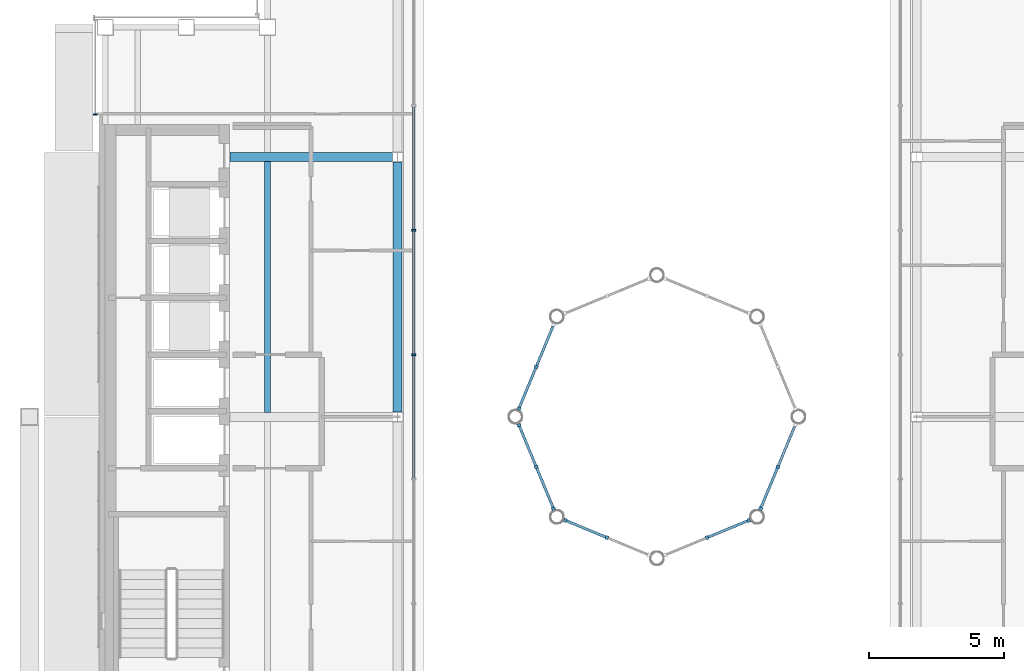
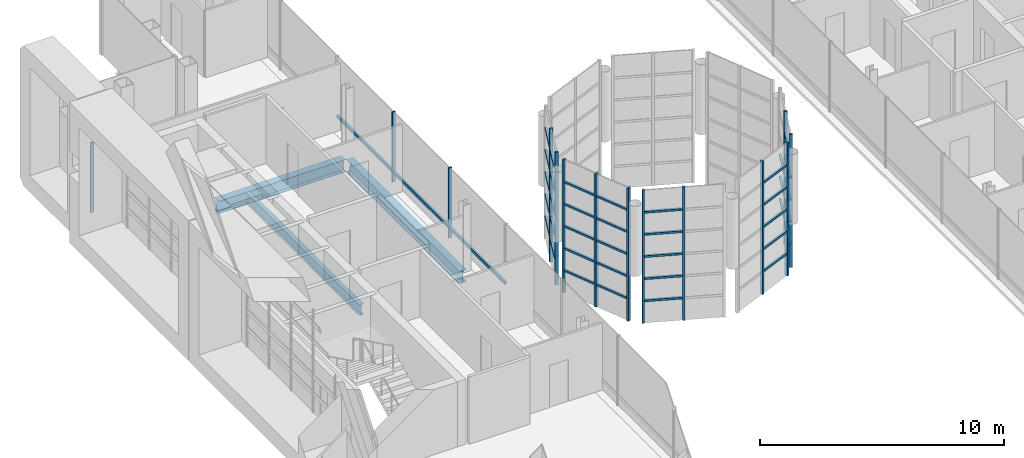
# One storey, part 5 of 21: 55 members, 3 beams, 7 elements without a shape of their own.
"""IFC4 building model written with IfcOpenShell, lengths in metres."""

from ifc_helpers import new_model, si_unit, direction, frame, origin, origin_2d, place, context, subcontext, project, spatial, rectangle, i_section, extrude, material, material_profile, profile_set, type_object, element, aggregate, save


model = new_model("IFC4")

# Units and contexts
model_context = context("Model", 3, precision=1e-05, world=origin(), true_north=direction((0.0, 1.0)))
body_context = subcontext(model_context, "Body", "Model", "MODEL_VIEW")
ifc_project = project(units=[si_unit("LENGTHUNIT", "METRE"), si_unit("AREAUNIT", "SQUARE_METRE"), si_unit("VOLUMEUNIT", "CUBIC_METRE"), si_unit("PLANEANGLEUNIT", "RADIAN"), si_unit("MASSUNIT", "GRAM", prefix="KILO")], contexts=[model_context])

# Site, building, storey
site_placement = place(None, origin())
site = spatial("IfcSite", under=ifc_project, at=site_placement, CompositionType="ELEMENT")
building_placement = place(site_placement, origin())
building = spatial("IfcBuilding", under=site, at=building_placement, Name="Cobrizo Arcos Hotel Tower", CompositionType="ELEMENT")
storey_placement = place(building_placement, frame((0.0, 0.0, 276.0)))
storey = spatial("IfcBuildingStorey", under=building, at=storey_placement, Name="L73", CompositionType="ELEMENT", Elevation=276.0)

# Curtain wall, member
ifc_material_1 = material(Name="Aluminium 6063-T6 anodised bronze", Category="aluminium")
curtain_wall_type_1 = type_object("IfcCurtainWallType", Name="CW-A guest facade", PredefinedType="NOTDEFINED", material=ifc_material_1)
curtain_wall_1_placement = place(storey_placement, origin())
curtain_wall_1 = element("IfcCurtainWall", 1, at=curtain_wall_1_placement, inside=storey, type_object=curtain_wall_type_1, Name="CW-A L73 W face", PredefinedType="NOTDEFINED")
ifc_material_profile_1 = material_profile(ifc_material_1, rectangle(XDim=0.14990234375, YDim=0.06005859375, at=origin_2d()), Name="CW-A mullion 150x60")
ifc_profile_set_1 = profile_set([ifc_material_profile_1], Name="Aluminium 6063-T6 anodised bronze")
member_type_1 = type_object("IfcMemberType", Name="CW-A mullion 150x60", PredefinedType="MULLION", material=ifc_profile_set_1)
member_1_placement = place(storey_placement, frame((-20.77490234375, 11.179931640625, 0.0), z_axis=(0.0, 0.0, 1.0), x_axis=(-1.0, 0.0, 0.0)))
member_1 = element("IfcMember", 2, at=member_1_placement, type_object=member_type_1, Name="CW-A mullion 2", PredefinedType="MULLION", context=body_context, shape_type="SweptSolid", body=[
    extrude(rectangle(XDim=0.14990234375, YDim=0.06005859375, at=origin_2d()), origin(), (0.0, 0.0, 1.0), 3.5),
])
aggregate(curtain_wall_1, [member_1])

# Curtain wall, members
curtain_wall_type_2 = type_object("IfcCurtainWallType", Name="CW-C arch infill and crown glazing", PredefinedType="NOTDEFINED", material=ifc_material_1)
curtain_wall_2_placement = place(storey_placement, origin())
curtain_wall_2 = element("IfcCurtainWall", 3, at=curtain_wall_2_placement, inside=storey, type_object=curtain_wall_type_2, Name="CW-C L73 E face", PredefinedType="NOTDEFINED")
ifc_material_profile_2 = material_profile(ifc_material_1, rectangle(XDim=0.14990234375, YDim=0.070068359375, at=origin_2d()), Name="CW-C mullion 150x70")
ifc_profile_set_2 = profile_set([ifc_material_profile_2], Name="Aluminium 6063-T6 anodised bronze")
member_type_2 = type_object("IfcMemberType", Name="CW-C mullion 150x70", PredefinedType="MULLION", material=ifc_profile_set_2)
member_2_placement = place(storey_placement, frame((-8.989990234375, 2.300048828125, 0.0), z_axis=(0.0, 0.0, 1.0), x_axis=(1.0, 0.0, 0.0)))
member_2 = element("IfcMember", 4, at=member_2_placement, type_object=member_type_2, Name="CW-C mullion 6", PredefinedType="MULLION", context=body_context, shape_type="SweptSolid", body=[
    extrude(rectangle(XDim=0.14990234375, YDim=0.070068359375, at=origin_2d()), origin(), (0.0, 0.0, 1.0), 3.5),
])
member_3_placement = place(storey_placement, frame((-8.989990234375, 6.89990234375, 0.0), z_axis=(0.0, 0.0, 1.0), x_axis=(1.0, 0.0, 0.0)))
member_3 = element("IfcMember", 5, at=member_3_placement, type_object=member_type_2, Name="CW-C mullion 7", PredefinedType="MULLION", context=body_context, shape_type="SweptSolid", body=[
    extrude(rectangle(XDim=0.14990234375, YDim=0.070068359375, at=origin_2d()), origin(), (0.0, 0.0, 1.0), 3.5),
])
ifc_material_profile_3 = material_profile(ifc_material_1, rectangle(XDim=0.10009765625, YDim=0.139892578125, at=origin_2d()), Name="CW-C transom 140x100")
ifc_profile_set_3 = profile_set([ifc_material_profile_3], Name="Aluminium 6063-T6 anodised bronze")
member_type_3 = type_object("IfcMemberType", Name="CW-C transom 140x100", PredefinedType="USERDEFINED", material=ifc_profile_set_3)
member_4_placement = place(storey_placement, frame((-8.989990234375, -2.264892578125, 0.5), z_axis=(0.0, 1.0, 0.0), x_axis=(-1.0, 0.0, 0.0)))
member_4 = element("IfcMember", 6, at=member_4_placement, type_object=member_type_3, Name="CW-C transom 2312", ObjectType="TRANSOM", PredefinedType="USERDEFINED", context=body_context, shape_type="SweptSolid", body=[
    extrude(rectangle(XDim=0.10009765625, YDim=0.139892578125, at=origin_2d()), origin(), (0.0, 0.0, 1.0), 4.52978515625),
])
member_5_placement = place(storey_placement, frame((-8.989990234375, 2.3349609375, 0.5), z_axis=(0.0, 1.0, 0.0), x_axis=(-1.0, 0.0, 0.0)))
member_5 = element("IfcMember", 7, at=member_5_placement, type_object=member_type_3, Name="CW-C transom 2313", ObjectType="TRANSOM", PredefinedType="USERDEFINED", context=body_context, shape_type="SweptSolid", body=[
    extrude(rectangle(XDim=0.10009765625, YDim=0.139892578125, at=origin_2d()), origin(), (0.0, 0.0, 1.0), 4.530029296875),
])
member_6_placement = place(storey_placement, frame((-8.989990234375, 6.93505859375, 0.5), z_axis=(0.0, 1.0, 0.0), x_axis=(-1.0, 0.0, 0.0)))
member_6 = element("IfcMember", 8, at=member_6_placement, type_object=member_type_3, Name="CW-C transom 2314", ObjectType="TRANSOM", PredefinedType="USERDEFINED", context=body_context, shape_type="SweptSolid", body=[
    extrude(rectangle(XDim=0.10009765625, YDim=0.139892578125, at=origin_2d()), origin(), (0.0, 0.0, 1.0), 4.530029296875),
])
aggregate(curtain_wall_2, [member_2, member_3, member_4, member_5, member_6])

curtain_wall_type_3 = type_object("IfcCurtainWallType", Name="CW-D plant louvre wall", PredefinedType="NOTDEFINED", material=ifc_material_1)
curtain_wall_3_placement = place(storey_placement, origin())
curtain_wall_3 = element("IfcCurtainWall", 9, at=curtain_wall_3_placement, inside=storey, type_object=curtain_wall_type_3, Name="CW-D drum louvre wall t1-4", PredefinedType="NOTDEFINED")
ifc_material_profile_4 = material_profile(ifc_material_1, rectangle(XDim=0.14990234375, YDim=0.10009765625, at=origin_2d()), Name="CW-D mullion 150x100")
ifc_profile_set_4 = profile_set([ifc_material_profile_4], Name="Aluminium 6063-T6 anodised bronze")
member_type_4 = type_object("IfcMemberType", Name="CW-D mullion 150x100", PredefinedType="MULLION", material=ifc_profile_set_4)
member_7_placement = place(storey_placement, frame((-4.46630859375, 1.85009765625, -2.5), z_axis=(0.0, 0.0, 1.0), x_axis=(-0.923879532511, 0.382683432365, 0.0)))
member_7 = element("IfcMember", 10, at=member_7_placement, type_object=member_type_4, Name="CW-D mullion 2", PredefinedType="MULLION", context=body_context, shape_type="SweptSolid", body=[
    extrude(rectangle(XDim=0.14990234375, YDim=0.10009765625, at=origin_2d()), origin(), (0.0, 0.0, 1.0), 6.63330078125),
])
member_8_placement = place(storey_placement, frame((-5.104736328125, 0.30859375, -2.5), z_axis=(0.0, 0.0, 1.0), x_axis=(-0.923879532511, 0.382683432365, 0.0)))
member_8 = element("IfcMember", 11, at=member_8_placement, type_object=member_type_4, Name="CW-D mullion 3", PredefinedType="MULLION", context=body_context, shape_type="SweptSolid", body=[
    extrude(rectangle(XDim=0.14990234375, YDim=0.10009765625, at=origin_2d()), origin(), (0.0, 0.0, 1.0), 6.63330078125),
])

curtain_wall_4_placement = place(storey_placement, origin())
curtain_wall_4 = element("IfcCurtainWall", 12, at=curtain_wall_4_placement, inside=storey, type_object=curtain_wall_type_3, Name="CW-D drum louvre wall t1-5", PredefinedType="NOTDEFINED")
member_9_placement = place(storey_placement, frame((-5.104736328125, -0.30859375, -2.5), z_axis=(0.0, 0.0, 1.0), x_axis=(-0.923879532511, -0.382683432365, 0.0)))
member_9 = element("IfcMember", 13, at=member_9_placement, type_object=member_type_4, Name="CW-D mullion 1", PredefinedType="MULLION", context=body_context, shape_type="SweptSolid", body=[
    extrude(rectangle(XDim=0.14990234375, YDim=0.10009765625, at=origin_2d()), origin(), (0.0, 0.0, 1.0), 6.63330078125),
])
member_10_placement = place(storey_placement, frame((-4.46630859375, -1.85009765625, -2.5), z_axis=(0.0, 0.0, 1.0), x_axis=(-0.923879532511, -0.382683432365, 0.0)))
member_10 = element("IfcMember", 14, at=member_10_placement, type_object=member_type_4, Name="CW-D mullion 2", PredefinedType="MULLION", context=body_context, shape_type="SweptSolid", body=[
    extrude(rectangle(XDim=0.14990234375, YDim=0.10009765625, at=origin_2d()), origin(), (0.0, 0.0, 1.0), 6.63330078125),
])
member_11_placement = place(storey_placement, frame((-3.827880859375, -3.391357421875, -2.5), z_axis=(0.0, 0.0, 1.0), x_axis=(-0.923879532511, -0.382683432365, 0.0)))
member_11 = element("IfcMember", 15, at=member_11_placement, type_object=member_type_4, Name="CW-D mullion 3", PredefinedType="MULLION", context=body_context, shape_type="SweptSolid", body=[
    extrude(rectangle(XDim=0.14990234375, YDim=0.10009765625, at=origin_2d()), origin(), (0.0, 0.0, 1.0), 6.63330078125),
])

curtain_wall_5_placement = place(storey_placement, origin())
curtain_wall_5 = element("IfcCurtainWall", 16, at=curtain_wall_5_placement, inside=storey, type_object=curtain_wall_type_3, Name="CW-D drum louvre wall t1-6", PredefinedType="NOTDEFINED")
member_12_placement = place(storey_placement, frame((-3.391357421875, -3.827880859375, -2.5), z_axis=(0.0, 0.0, 1.0), x_axis=(-0.382683432365, -0.923879532511, 0.0)))
member_12 = element("IfcMember", 17, at=member_12_placement, type_object=member_type_4, Name="CW-D mullion 1", PredefinedType="MULLION", context=body_context, shape_type="SweptSolid", body=[
    extrude(rectangle(XDim=0.14990234375, YDim=0.10009765625, at=origin_2d()), origin(), (0.0, 0.0, 1.0), 6.63330078125),
])
member_13_placement = place(storey_placement, frame((-1.85009765625, -4.46630859375, -2.5), z_axis=(0.0, 0.0, 1.0), x_axis=(-0.382683432365, -0.923879532511, 0.0)))
member_13 = element("IfcMember", 18, at=member_13_placement, type_object=member_type_4, Name="CW-D mullion 2", PredefinedType="MULLION", context=body_context, shape_type="SweptSolid", body=[
    extrude(rectangle(XDim=0.14990234375, YDim=0.10009765625, at=origin_2d()), origin(), (0.0, 0.0, 1.0), 6.63330078125),
])

curtain_wall_6_placement = place(storey_placement, origin())
curtain_wall_6 = element("IfcCurtainWall", 19, at=curtain_wall_6_placement, inside=storey, type_object=curtain_wall_type_3, Name="CW-D drum louvre wall t1-7", PredefinedType="NOTDEFINED")
member_14_placement = place(storey_placement, frame((1.85009765625, -4.46630859375, -2.5), z_axis=(0.0, 0.0, 1.0), x_axis=(0.382683432365, -0.923879532511, 0.0)))
member_14 = element("IfcMember", 20, at=member_14_placement, type_object=member_type_4, Name="CW-D mullion 2", PredefinedType="MULLION", context=body_context, shape_type="SweptSolid", body=[
    extrude(rectangle(XDim=0.14990234375, YDim=0.10009765625, at=origin_2d()), origin(), (0.0, 0.0, 1.0), 6.63330078125),
])
member_15_placement = place(storey_placement, frame((3.391357421875, -3.827880859375, -2.5), z_axis=(0.0, 0.0, 1.0), x_axis=(0.382683432365, -0.923879532511, 0.0)))
member_15 = element("IfcMember", 21, at=member_15_placement, type_object=member_type_4, Name="CW-D mullion 3", PredefinedType="MULLION", context=body_context, shape_type="SweptSolid", body=[
    extrude(rectangle(XDim=0.14990234375, YDim=0.10009765625, at=origin_2d()), origin(), (0.0, 0.0, 1.0), 6.63330078125),
])

curtain_wall_7_placement = place(storey_placement, origin())
curtain_wall_7 = element("IfcCurtainWall", 22, at=curtain_wall_7_placement, inside=storey, type_object=curtain_wall_type_3, Name="CW-D drum louvre wall t1-8", PredefinedType="NOTDEFINED")
member_16_placement = place(storey_placement, frame((3.827880859375, -3.391357421875, -2.5), z_axis=(0.0, 0.0, 1.0), x_axis=(0.923879532511, -0.382683432365, 0.0)))
member_16 = element("IfcMember", 23, at=member_16_placement, type_object=member_type_4, Name="CW-D mullion 1", PredefinedType="MULLION", context=body_context, shape_type="SweptSolid", body=[
    extrude(rectangle(XDim=0.14990234375, YDim=0.10009765625, at=origin_2d()), origin(), (0.0, 0.0, 1.0), 6.63330078125),
])
member_17_placement = place(storey_placement, frame((4.46630859375, -1.85009765625, -2.5), z_axis=(0.0, 0.0, 1.0), x_axis=(0.923879532511, -0.382683432365, 0.0)))
member_17 = element("IfcMember", 24, at=member_17_placement, type_object=member_type_4, Name="CW-D mullion 2", PredefinedType="MULLION", context=body_context, shape_type="SweptSolid", body=[
    extrude(rectangle(XDim=0.14990234375, YDim=0.10009765625, at=origin_2d()), origin(), (0.0, 0.0, 1.0), 6.63330078125),
])

# Member
ifc_material_profile_5 = material_profile(ifc_material_1, rectangle(XDim=0.10009765625, YDim=0.10009765625, at=origin_2d()), Name="CW-D transom 100x100")
ifc_profile_set_5 = profile_set([ifc_material_profile_5], Name="Aluminium 6063-T6 anodised bronze")
member_type_5 = type_object("IfcMemberType", Name="CW-D transom 100x100", PredefinedType="USERDEFINED", material=ifc_profile_set_5)
member_18_placement = place(storey_placement, frame((-3.846923828125, 3.34521484375, -1.394287109375), z_axis=(-0.382768797092, -0.923844168663, 0.0), x_axis=(0.923844168663, -0.382768797092, 0.0)))
member_18 = element("IfcMember", 25, at=member_18_placement, type_object=member_type_5, Name="CW-D transom 1-1", ObjectType="TRANSOM", PredefinedType="USERDEFINED", context=body_context, shape_type="SweptSolid", body=[
    extrude(rectangle(XDim=0.10009765625, YDim=0.10009765625, at=origin_2d()), origin(), (0.0, 0.0, 1.0), 1.568359375),
])

member_19_placement = place(storey_placement, frame((-3.846923828125, 3.34521484375, -0.288818359375), z_axis=(-0.382768797092, -0.923844168663, 0.0), x_axis=(0.923844168663, -0.382768797092, 0.0)))
member_19 = element("IfcMember", 26, at=member_19_placement, type_object=member_type_5, Name="CW-D transom 1-2", ObjectType="TRANSOM", PredefinedType="USERDEFINED", context=body_context, shape_type="SweptSolid", body=[
    extrude(rectangle(XDim=0.10009765625, YDim=0.10009765625, at=origin_2d()), origin(), (0.0, 0.0, 1.0), 1.568359375),
])

member_20_placement = place(storey_placement, frame((-3.846923828125, 3.34521484375, 0.816650390625), z_axis=(-0.382768797092, -0.923844168663, 0.0), x_axis=(0.923844168663, -0.382768797092, 0.0)))
member_20 = element("IfcMember", 27, at=member_20_placement, type_object=member_type_5, Name="CW-D transom 1-3", ObjectType="TRANSOM", PredefinedType="USERDEFINED", context=body_context, shape_type="SweptSolid", body=[
    extrude(rectangle(XDim=0.10009765625, YDim=0.10009765625, at=origin_2d()), origin(), (0.0, 0.0, 1.0), 1.568359375),
])

member_21_placement = place(storey_placement, frame((-3.846923828125, 3.34521484375, 1.922119140625), z_axis=(-0.382768797092, -0.923844168663, 0.0), x_axis=(0.923844168663, -0.382768797092, 0.0)))
member_21 = element("IfcMember", 28, at=member_21_placement, type_object=member_type_5, Name="CW-D transom 1-4", ObjectType="TRANSOM", PredefinedType="USERDEFINED", context=body_context, shape_type="SweptSolid", body=[
    extrude(rectangle(XDim=0.10009765625, YDim=0.10009765625, at=origin_2d()), origin(), (0.0, 0.0, 1.0), 1.568359375),
])

member_22_placement = place(storey_placement, frame((-3.846923828125, 3.34521484375, 3.02783203125), z_axis=(-0.382768797092, -0.923844168663, 0.0), x_axis=(0.923844168663, -0.382768797092, 0.0)))
member_22 = element("IfcMember", 29, at=member_22_placement, type_object=member_type_5, Name="CW-D transom 1-5", ObjectType="TRANSOM", PredefinedType="USERDEFINED", context=body_context, shape_type="SweptSolid", body=[
    extrude(rectangle(XDim=0.10009765625, YDim=0.10009765625, at=origin_2d()), origin(), (0.0, 0.0, 1.0), 1.568359375),
])

member_23_placement = place(storey_placement, frame((-4.4853515625, 1.8037109375, -1.394287109375), z_axis=(-0.382768797092, -0.923844168663, 0.0), x_axis=(0.923844168663, -0.382768797092, 0.0)))
member_23 = element("IfcMember", 30, at=member_23_placement, type_object=member_type_5, Name="CW-D transom 2-1", ObjectType="TRANSOM", PredefinedType="USERDEFINED", context=body_context, shape_type="SweptSolid", body=[
    extrude(rectangle(XDim=0.10009765625, YDim=0.10009765625, at=origin_2d()), origin(), (0.0, 0.0, 1.0), 1.568359375),
])

member_24_placement = place(storey_placement, frame((-4.4853515625, 1.8037109375, -0.288818359375), z_axis=(-0.382768797092, -0.923844168663, 0.0), x_axis=(0.923844168663, -0.382768797092, 0.0)))
member_24 = element("IfcMember", 31, at=member_24_placement, type_object=member_type_5, Name="CW-D transom 2-2", ObjectType="TRANSOM", PredefinedType="USERDEFINED", context=body_context, shape_type="SweptSolid", body=[
    extrude(rectangle(XDim=0.10009765625, YDim=0.10009765625, at=origin_2d()), origin(), (0.0, 0.0, 1.0), 1.568359375),
])

member_25_placement = place(storey_placement, frame((-4.4853515625, 1.8037109375, 0.816650390625), z_axis=(-0.382768797092, -0.923844168663, 0.0), x_axis=(0.923844168663, -0.382768797092, 0.0)))
member_25 = element("IfcMember", 32, at=member_25_placement, type_object=member_type_5, Name="CW-D transom 2-3", ObjectType="TRANSOM", PredefinedType="USERDEFINED", context=body_context, shape_type="SweptSolid", body=[
    extrude(rectangle(XDim=0.10009765625, YDim=0.10009765625, at=origin_2d()), origin(), (0.0, 0.0, 1.0), 1.568359375),
])

member_26_placement = place(storey_placement, frame((-4.4853515625, 1.8037109375, 1.922119140625), z_axis=(-0.382768797092, -0.923844168663, 0.0), x_axis=(0.923844168663, -0.382768797092, 0.0)))
member_26 = element("IfcMember", 33, at=member_26_placement, type_object=member_type_5, Name="CW-D transom 2-4", ObjectType="TRANSOM", PredefinedType="USERDEFINED", context=body_context, shape_type="SweptSolid", body=[
    extrude(rectangle(XDim=0.10009765625, YDim=0.10009765625, at=origin_2d()), origin(), (0.0, 0.0, 1.0), 1.568359375),
])

member_27_placement = place(storey_placement, frame((-4.4853515625, 1.8037109375, 3.02783203125), z_axis=(-0.382768797092, -0.923844168663, 0.0), x_axis=(0.923844168663, -0.382768797092, 0.0)))
member_27 = element("IfcMember", 34, at=member_27_placement, type_object=member_type_5, Name="CW-D transom 2-5", ObjectType="TRANSOM", PredefinedType="USERDEFINED", context=body_context, shape_type="SweptSolid", body=[
    extrude(rectangle(XDim=0.10009765625, YDim=0.10009765625, at=origin_2d()), origin(), (0.0, 0.0, 1.0), 1.568359375),
])

aggregate(curtain_wall_3, [member_7, member_8, member_18, member_19, member_20, member_21, member_22, member_23, member_24, member_25, member_26, member_27])

member_28_placement = place(storey_placement, frame((-5.085693359375, -0.354736328125, -1.394287109375), z_axis=(0.382768797092, -0.923844168663, 0.0), x_axis=(0.923844168663, 0.382768797092, 0.0)))
member_28 = element("IfcMember", 35, at=member_28_placement, type_object=member_type_5, Name="CW-D transom 1-1", ObjectType="TRANSOM", PredefinedType="USERDEFINED", context=body_context, shape_type="SweptSolid", body=[
    extrude(rectangle(XDim=0.10009765625, YDim=0.10009765625, at=origin_2d()), origin(), (0.0, 0.0, 1.0), 1.568359375),
])

member_29_placement = place(storey_placement, frame((-5.085693359375, -0.354736328125, -0.288818359375), z_axis=(0.382768797092, -0.923844168663, 0.0), x_axis=(0.923844168663, 0.382768797092, 0.0)))
member_29 = element("IfcMember", 36, at=member_29_placement, type_object=member_type_5, Name="CW-D transom 1-2", ObjectType="TRANSOM", PredefinedType="USERDEFINED", context=body_context, shape_type="SweptSolid", body=[
    extrude(rectangle(XDim=0.10009765625, YDim=0.10009765625, at=origin_2d()), origin(), (0.0, 0.0, 1.0), 1.568359375),
])

member_30_placement = place(storey_placement, frame((-5.085693359375, -0.354736328125, 0.816650390625), z_axis=(0.382768797092, -0.923844168663, 0.0), x_axis=(0.923844168663, 0.382768797092, 0.0)))
member_30 = element("IfcMember", 37, at=member_30_placement, type_object=member_type_5, Name="CW-D transom 1-3", ObjectType="TRANSOM", PredefinedType="USERDEFINED", context=body_context, shape_type="SweptSolid", body=[
    extrude(rectangle(XDim=0.10009765625, YDim=0.10009765625, at=origin_2d()), origin(), (0.0, 0.0, 1.0), 1.568359375),
])

member_31_placement = place(storey_placement, frame((-5.085693359375, -0.354736328125, 1.922119140625), z_axis=(0.382768797092, -0.923844168663, 0.0), x_axis=(0.923844168663, 0.382768797092, 0.0)))
member_31 = element("IfcMember", 38, at=member_31_placement, type_object=member_type_5, Name="CW-D transom 1-4", ObjectType="TRANSOM", PredefinedType="USERDEFINED", context=body_context, shape_type="SweptSolid", body=[
    extrude(rectangle(XDim=0.10009765625, YDim=0.10009765625, at=origin_2d()), origin(), (0.0, 0.0, 1.0), 1.568359375),
])

member_32_placement = place(storey_placement, frame((-5.085693359375, -0.354736328125, 3.02783203125), z_axis=(0.382768797092, -0.923844168663, 0.0), x_axis=(0.923844168663, 0.382768797092, 0.0)))
member_32 = element("IfcMember", 39, at=member_32_placement, type_object=member_type_5, Name="CW-D transom 1-5", ObjectType="TRANSOM", PredefinedType="USERDEFINED", context=body_context, shape_type="SweptSolid", body=[
    extrude(rectangle(XDim=0.10009765625, YDim=0.10009765625, at=origin_2d()), origin(), (0.0, 0.0, 1.0), 1.568359375),
])

member_33_placement = place(storey_placement, frame((-4.447265625, -1.896240234375, -1.394287109375), z_axis=(0.382768797092, -0.923844168663, 0.0), x_axis=(0.923844168663, 0.382768797092, 0.0)))
member_33 = element("IfcMember", 40, at=member_33_placement, type_object=member_type_5, Name="CW-D transom 2-1", ObjectType="TRANSOM", PredefinedType="USERDEFINED", context=body_context, shape_type="SweptSolid", body=[
    extrude(rectangle(XDim=0.10009765625, YDim=0.10009765625, at=origin_2d()), origin(), (0.0, 0.0, 1.0), 1.568359375),
])

member_34_placement = place(storey_placement, frame((-4.447265625, -1.896240234375, -0.288818359375), z_axis=(0.382768797092, -0.923844168663, 0.0), x_axis=(0.923844168663, 0.382768797092, 0.0)))
member_34 = element("IfcMember", 41, at=member_34_placement, type_object=member_type_5, Name="CW-D transom 2-2", ObjectType="TRANSOM", PredefinedType="USERDEFINED", context=body_context, shape_type="SweptSolid", body=[
    extrude(rectangle(XDim=0.10009765625, YDim=0.10009765625, at=origin_2d()), origin(), (0.0, 0.0, 1.0), 1.568359375),
])

member_35_placement = place(storey_placement, frame((-4.447265625, -1.896240234375, 0.816650390625), z_axis=(0.382768797092, -0.923844168663, 0.0), x_axis=(0.923844168663, 0.382768797092, 0.0)))
member_35 = element("IfcMember", 42, at=member_35_placement, type_object=member_type_5, Name="CW-D transom 2-3", ObjectType="TRANSOM", PredefinedType="USERDEFINED", context=body_context, shape_type="SweptSolid", body=[
    extrude(rectangle(XDim=0.10009765625, YDim=0.10009765625, at=origin_2d()), origin(), (0.0, 0.0, 1.0), 1.568359375),
])

member_36_placement = place(storey_placement, frame((-4.447265625, -1.896240234375, 1.922119140625), z_axis=(0.382768797092, -0.923844168663, 0.0), x_axis=(0.923844168663, 0.382768797092, 0.0)))
member_36 = element("IfcMember", 43, at=member_36_placement, type_object=member_type_5, Name="CW-D transom 2-4", ObjectType="TRANSOM", PredefinedType="USERDEFINED", context=body_context, shape_type="SweptSolid", body=[
    extrude(rectangle(XDim=0.10009765625, YDim=0.10009765625, at=origin_2d()), origin(), (0.0, 0.0, 1.0), 1.568359375),
])

member_37_placement = place(storey_placement, frame((-4.447265625, -1.896240234375, 3.02783203125), z_axis=(0.382768797092, -0.923844168663, 0.0), x_axis=(0.923844168663, 0.382768797092, 0.0)))
member_37 = element("IfcMember", 44, at=member_37_placement, type_object=member_type_5, Name="CW-D transom 2-5", ObjectType="TRANSOM", PredefinedType="USERDEFINED", context=body_context, shape_type="SweptSolid", body=[
    extrude(rectangle(XDim=0.10009765625, YDim=0.10009765625, at=origin_2d()), origin(), (0.0, 0.0, 1.0), 1.568359375),
])

aggregate(curtain_wall_4, [member_9, member_10, member_11, member_28, member_29, member_30, member_31, member_32, member_33, member_34, member_35, member_36, member_37])

member_38_placement = place(storey_placement, frame((-3.34521484375, -3.846923828125, -1.394287109375), z_axis=(0.923844168663, -0.382768797092, 0.0), x_axis=(0.382768797092, 0.923844168663, 0.0)))
member_38 = element("IfcMember", 45, at=member_38_placement, type_object=member_type_5, Name="CW-D transom 1-1", ObjectType="TRANSOM", PredefinedType="USERDEFINED", context=body_context, shape_type="SweptSolid", body=[
    extrude(rectangle(XDim=0.10009765625, YDim=0.10009765625, at=origin_2d()), origin(), (0.0, 0.0, 1.0), 1.568359375),
])

member_39_placement = place(storey_placement, frame((-3.34521484375, -3.846923828125, -0.288818359375), z_axis=(0.923844168663, -0.382768797092, 0.0), x_axis=(0.382768797092, 0.923844168663, 0.0)))
member_39 = element("IfcMember", 46, at=member_39_placement, type_object=member_type_5, Name="CW-D transom 1-2", ObjectType="TRANSOM", PredefinedType="USERDEFINED", context=body_context, shape_type="SweptSolid", body=[
    extrude(rectangle(XDim=0.10009765625, YDim=0.10009765625, at=origin_2d()), origin(), (0.0, 0.0, 1.0), 1.568359375),
])

member_40_placement = place(storey_placement, frame((-3.34521484375, -3.846923828125, 0.816650390625), z_axis=(0.923844168663, -0.382768797092, 0.0), x_axis=(0.382768797092, 0.923844168663, 0.0)))
member_40 = element("IfcMember", 47, at=member_40_placement, type_object=member_type_5, Name="CW-D transom 1-3", ObjectType="TRANSOM", PredefinedType="USERDEFINED", context=body_context, shape_type="SweptSolid", body=[
    extrude(rectangle(XDim=0.10009765625, YDim=0.10009765625, at=origin_2d()), origin(), (0.0, 0.0, 1.0), 1.568359375),
])

member_41_placement = place(storey_placement, frame((-3.34521484375, -3.846923828125, 1.922119140625), z_axis=(0.923844168663, -0.382768797092, 0.0), x_axis=(0.382768797092, 0.923844168663, 0.0)))
member_41 = element("IfcMember", 48, at=member_41_placement, type_object=member_type_5, Name="CW-D transom 1-4", ObjectType="TRANSOM", PredefinedType="USERDEFINED", context=body_context, shape_type="SweptSolid", body=[
    extrude(rectangle(XDim=0.10009765625, YDim=0.10009765625, at=origin_2d()), origin(), (0.0, 0.0, 1.0), 1.568359375),
])

member_42_placement = place(storey_placement, frame((-3.34521484375, -3.846923828125, 3.02783203125), z_axis=(0.923844168663, -0.382768797092, 0.0), x_axis=(0.382768797092, 0.923844168663, 0.0)))
member_42 = element("IfcMember", 49, at=member_42_placement, type_object=member_type_5, Name="CW-D transom 1-5", ObjectType="TRANSOM", PredefinedType="USERDEFINED", context=body_context, shape_type="SweptSolid", body=[
    extrude(rectangle(XDim=0.10009765625, YDim=0.10009765625, at=origin_2d()), origin(), (0.0, 0.0, 1.0), 1.568359375),
])

aggregate(curtain_wall_5, [member_12, member_13, member_38, member_39, member_40, member_41, member_42])

member_43_placement = place(storey_placement, frame((1.896240234375, -4.447265625, -1.394287109375), z_axis=(0.923844168663, 0.382768797092, 0.0), x_axis=(-0.382768797092, 0.923844168663, 0.0)))
member_43 = element("IfcMember", 50, at=member_43_placement, type_object=member_type_5, Name="CW-D transom 2-1", ObjectType="TRANSOM", PredefinedType="USERDEFINED", context=body_context, shape_type="SweptSolid", body=[
    extrude(rectangle(XDim=0.10009765625, YDim=0.10009765625, at=origin_2d()), origin(), (0.0, 0.0, 1.0), 1.568359375),
])

member_44_placement = place(storey_placement, frame((1.896240234375, -4.447265625, -0.288818359375), z_axis=(0.923844168663, 0.382768797092, 0.0), x_axis=(-0.382768797092, 0.923844168663, 0.0)))
member_44 = element("IfcMember", 51, at=member_44_placement, type_object=member_type_5, Name="CW-D transom 2-2", ObjectType="TRANSOM", PredefinedType="USERDEFINED", context=body_context, shape_type="SweptSolid", body=[
    extrude(rectangle(XDim=0.10009765625, YDim=0.10009765625, at=origin_2d()), origin(), (0.0, 0.0, 1.0), 1.568359375),
])

member_45_placement = place(storey_placement, frame((1.896240234375, -4.447265625, 0.816650390625), z_axis=(0.923844168663, 0.382768797092, 0.0), x_axis=(-0.382768797092, 0.923844168663, 0.0)))
member_45 = element("IfcMember", 52, at=member_45_placement, type_object=member_type_5, Name="CW-D transom 2-3", ObjectType="TRANSOM", PredefinedType="USERDEFINED", context=body_context, shape_type="SweptSolid", body=[
    extrude(rectangle(XDim=0.10009765625, YDim=0.10009765625, at=origin_2d()), origin(), (0.0, 0.0, 1.0), 1.568359375),
])

member_46_placement = place(storey_placement, frame((1.896240234375, -4.447265625, 1.922119140625), z_axis=(0.923844168663, 0.382768797092, 0.0), x_axis=(-0.382768797092, 0.923844168663, 0.0)))
member_46 = element("IfcMember", 53, at=member_46_placement, type_object=member_type_5, Name="CW-D transom 2-4", ObjectType="TRANSOM", PredefinedType="USERDEFINED", context=body_context, shape_type="SweptSolid", body=[
    extrude(rectangle(XDim=0.10009765625, YDim=0.10009765625, at=origin_2d()), origin(), (0.0, 0.0, 1.0), 1.568359375),
])

member_47_placement = place(storey_placement, frame((1.896240234375, -4.447265625, 3.02783203125), z_axis=(0.923844168663, 0.382768797092, 0.0), x_axis=(-0.382768797092, 0.923844168663, 0.0)))
member_47 = element("IfcMember", 54, at=member_47_placement, type_object=member_type_5, Name="CW-D transom 2-5", ObjectType="TRANSOM", PredefinedType="USERDEFINED", context=body_context, shape_type="SweptSolid", body=[
    extrude(rectangle(XDim=0.10009765625, YDim=0.10009765625, at=origin_2d()), origin(), (0.0, 0.0, 1.0), 1.568359375),
])

aggregate(curtain_wall_6, [member_14, member_15, member_43, member_44, member_45, member_46, member_47])

member_48_placement = place(storey_placement, frame((3.846923828125, -3.34521484375, -1.394287109375), z_axis=(0.382768797092, 0.923844168663, 0.0), x_axis=(-0.923844168663, 0.382768797092, 0.0)))
member_48 = element("IfcMember", 55, at=member_48_placement, type_object=member_type_5, Name="CW-D transom 1-1", ObjectType="TRANSOM", PredefinedType="USERDEFINED", context=body_context, shape_type="SweptSolid", body=[
    extrude(rectangle(XDim=0.10009765625, YDim=0.10009765625, at=origin_2d()), origin(), (0.0, 0.0, 1.0), 1.568359375),
])

member_49_placement = place(storey_placement, frame((3.846923828125, -3.34521484375, -0.288818359375), z_axis=(0.382768797092, 0.923844168663, 0.0), x_axis=(-0.923844168663, 0.382768797092, 0.0)))
member_49 = element("IfcMember", 56, at=member_49_placement, type_object=member_type_5, Name="CW-D transom 1-2", ObjectType="TRANSOM", PredefinedType="USERDEFINED", context=body_context, shape_type="SweptSolid", body=[
    extrude(rectangle(XDim=0.10009765625, YDim=0.10009765625, at=origin_2d()), origin(), (0.0, 0.0, 1.0), 1.568359375),
])

member_50_placement = place(storey_placement, frame((3.846923828125, -3.34521484375, 0.816650390625), z_axis=(0.382768797092, 0.923844168663, 0.0), x_axis=(-0.923844168663, 0.382768797092, 0.0)))
member_50 = element("IfcMember", 57, at=member_50_placement, type_object=member_type_5, Name="CW-D transom 1-3", ObjectType="TRANSOM", PredefinedType="USERDEFINED", context=body_context, shape_type="SweptSolid", body=[
    extrude(rectangle(XDim=0.10009765625, YDim=0.10009765625, at=origin_2d()), origin(), (0.0, 0.0, 1.0), 1.568359375),
])

member_51_placement = place(storey_placement, frame((3.846923828125, -3.34521484375, 1.922119140625), z_axis=(0.382768797092, 0.923844168663, 0.0), x_axis=(-0.923844168663, 0.382768797092, 0.0)))
member_51 = element("IfcMember", 58, at=member_51_placement, type_object=member_type_5, Name="CW-D transom 1-4", ObjectType="TRANSOM", PredefinedType="USERDEFINED", context=body_context, shape_type="SweptSolid", body=[
    extrude(rectangle(XDim=0.10009765625, YDim=0.10009765625, at=origin_2d()), origin(), (0.0, 0.0, 1.0), 1.568359375),
])

member_52_placement = place(storey_placement, frame((3.846923828125, -3.34521484375, 3.02783203125), z_axis=(0.382768797092, 0.923844168663, 0.0), x_axis=(-0.923844168663, 0.382768797092, 0.0)))
member_52 = element("IfcMember", 59, at=member_52_placement, type_object=member_type_5, Name="CW-D transom 1-5", ObjectType="TRANSOM", PredefinedType="USERDEFINED", context=body_context, shape_type="SweptSolid", body=[
    extrude(rectangle(XDim=0.10009765625, YDim=0.10009765625, at=origin_2d()), origin(), (0.0, 0.0, 1.0), 1.568359375),
])

member_53_placement = place(storey_placement, frame((4.4853515625, -1.8037109375, -1.394287109375), z_axis=(0.382768797092, 0.923844168663, 0.0), x_axis=(-0.923844168663, 0.382768797092, 0.0)))
member_53 = element("IfcMember", 60, at=member_53_placement, type_object=member_type_5, Name="CW-D transom 2-1", ObjectType="TRANSOM", PredefinedType="USERDEFINED", context=body_context, shape_type="SweptSolid", body=[
    extrude(rectangle(XDim=0.10009765625, YDim=0.10009765625, at=origin_2d()), origin(), (0.0, 0.0, 1.0), 1.568359375),
])

member_54_placement = place(storey_placement, frame((4.4853515625, -1.8037109375, -0.288818359375), z_axis=(0.382768797092, 0.923844168663, 0.0), x_axis=(-0.923844168663, 0.382768797092, 0.0)))
member_54 = element("IfcMember", 61, at=member_54_placement, type_object=member_type_5, Name="CW-D transom 2-2", ObjectType="TRANSOM", PredefinedType="USERDEFINED", context=body_context, shape_type="SweptSolid", body=[
    extrude(rectangle(XDim=0.10009765625, YDim=0.10009765625, at=origin_2d()), origin(), (0.0, 0.0, 1.0), 1.568359375),
])

member_55_placement = place(storey_placement, frame((4.4853515625, -1.8037109375, 0.816650390625), z_axis=(0.382768797092, 0.923844168663, 0.0), x_axis=(-0.923844168663, 0.382768797092, 0.0)))
member_55 = element("IfcMember", 62, at=member_55_placement, type_object=member_type_5, Name="CW-D transom 2-3", ObjectType="TRANSOM", PredefinedType="USERDEFINED", context=body_context, shape_type="SweptSolid", body=[
    extrude(rectangle(XDim=0.10009765625, YDim=0.10009765625, at=origin_2d()), origin(), (0.0, 0.0, 1.0), 1.568359375),
])

aggregate(curtain_wall_7, [member_16, member_17, member_48, member_49, member_50, member_51, member_52, member_53, member_54, member_55])

# Beams
ifc_material_2 = material(Name="Steel ASTM A992 Grade 50", Category="steel")
ifc_material_profile_6 = material_profile(ifc_material_2, i_section(OverallWidth=0.209228515625, OverallDepth=0.533447265625, WebThickness=0.01025390625, FlangeThickness=0.015625, at=origin_2d()), Name="W21X62")
ifc_profile_set_6 = profile_set([ifc_material_profile_6], Name="Steel ASTM A992 Grade 50")
beam_type_1 = type_object("IfcBeamType", Name="W21X62 joist", PredefinedType="JOIST", material=ifc_profile_set_6)
beam_1_placement = place(storey_placement, frame((-14.39990234375, 0.163818359375, -0.416748046875), z_axis=(0.0, 1.0, 0.0), x_axis=(-1.0, 0.0, 0.0)))
element("IfcBeam", 63, at=beam_1_placement, inside=storey, type_object=beam_type_1, Name="Floor joist J1, L73, no. 005", PredefinedType="JOIST", context=body_context, shape_type="SweptSolid", body=[
    extrude(i_section(OverallWidth=0.209228515625, OverallDepth=0.533447265625, WebThickness=0.01025390625, FlangeThickness=0.015625, at=origin_2d()), origin(), (0.0, 0.0, 1.0), 9.272216796875),
])
ifc_material_profile_7 = material_profile(ifc_material_2, i_section(OverallWidth=0.32763671875, OverallDepth=0.622314453125, WebThickness=0.015380859375, FlangeThickness=0.0244140625, at=origin_2d()), Name="W24X131")
ifc_profile_set_7 = profile_set([ifc_material_profile_7], Name="Steel ASTM A992 Grade 50")
beam_type_2 = type_object("IfcBeamType", Name="W24X131 girder", PredefinedType="BEAM", material=ifc_profile_set_7)
beam_2_placement = place(storey_placement, frame((-15.7900390625, 9.60009765625, -0.461181640625), z_axis=(1.0, 0.0, 0.0), x_axis=(0.0, 1.0, 0.0)))
element("IfcBeam", 64, at=beam_2_placement, inside=storey, type_object=beam_type_2, Name="Floor girder G1, L73, no. 005", PredefinedType="BEAM", context=body_context, shape_type="SweptSolid", body=[
    extrude(i_section(OverallWidth=0.32763671875, OverallDepth=0.622314453125, WebThickness=0.015380859375, FlangeThickness=0.0244140625, at=origin_2d()), origin(), (0.0, 0.0, 1.0), 6.005859375),
])
beam_3_placement = place(storey_placement, frame((-9.60009765625, 0.18408203125, -0.461181640625), z_axis=(0.0, 1.0, 0.0), x_axis=(-1.0, 0.0, 0.0)))
element("IfcBeam", 65, at=beam_3_placement, inside=storey, type_object=beam_type_2, Name="Floor girder G1, L73, no. 009", PredefinedType="BEAM", context=body_context, shape_type="SweptSolid", body=[
    extrude(i_section(OverallWidth=0.32763671875, OverallDepth=0.622314453125, WebThickness=0.015380859375, FlangeThickness=0.0244140625, at=origin_2d()), origin(), (0.0, 0.0, 1.0), 9.231689453125),
])

save(model, "model.ifc")
